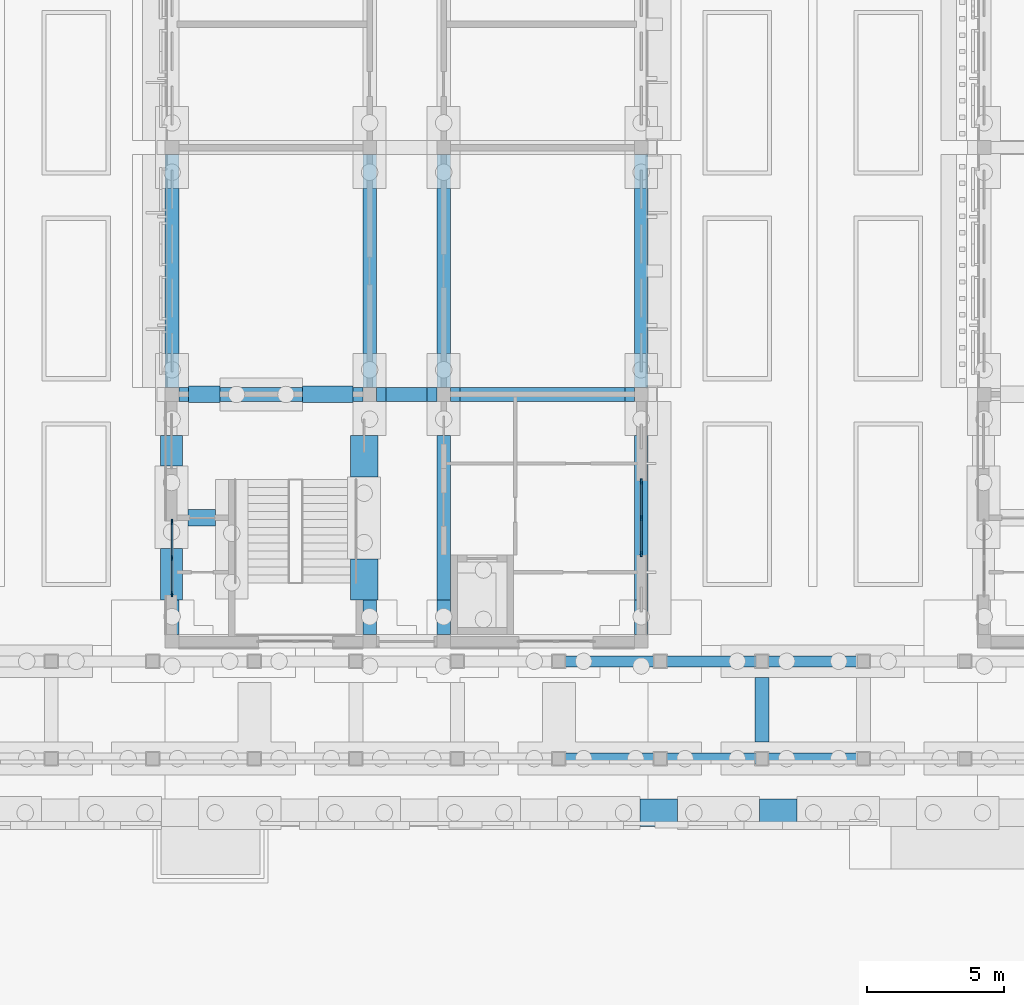
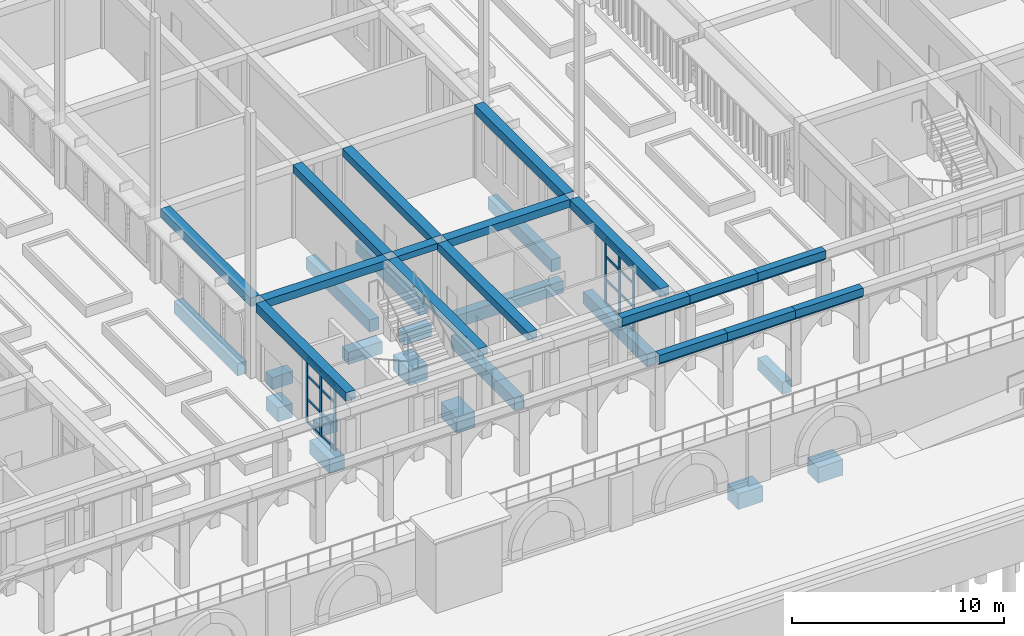
# One storey, part 23 of 161: 35 beams, 22 members, 2 elements without a shape of their own.
"""IFC4 building model written with IfcOpenShell, lengths in metres."""

from ifc_helpers import new_model, si_unit, direction, frame, origin, origin_2d, place, context, subcontext, project, spatial, polyline, rectangle, outline, extrude, material, layer, layer_set, material_profile, profile_set, type_object, element, aggregate, save


model = new_model("IFC4")

# Units and contexts
model_context = context("Model", 3, precision=1e-05, world=origin(), true_north=direction((0.0, 1.0)))
body_context = subcontext(model_context, "Body", "Model", "MODEL_VIEW")
ifc_project = project(units=[si_unit("LENGTHUNIT", "METRE"), si_unit("AREAUNIT", "SQUARE_METRE"), si_unit("VOLUMEUNIT", "CUBIC_METRE"), si_unit("PLANEANGLEUNIT", "RADIAN"), si_unit("MASSUNIT", "GRAM", prefix="KILO")], contexts=[model_context])

# Site, building, storey
site_placement = place(None, origin())
site = spatial("IfcSite", under=ifc_project, at=site_placement, CompositionType="ELEMENT")
building_placement = place(site_placement, origin())
building = spatial("IfcBuilding", under=site, at=building_placement, Name="Elbe Cascade School", CompositionType="ELEMENT")
storey_placement = place(building_placement, origin())
storey = spatial("IfcBuildingStorey", under=building, at=storey_placement, Name="L00", CompositionType="ELEMENT", Elevation=0.0)

# Curtain wall, members
ifc_material_1 = material(Name="Aluminium frame with double glazing, bronze anodised", Category="aluminium")
ifc_layer = layer(ifc_material_1, 0.199951171875)
ifc_layer_set = layer_set([ifc_layer], Name="Aluminium frame with double glazing, bronze anodised")
curtain_wall_type = type_object("IfcCurtainWallType", Name="Bars envelope Curtain wall, aluminium, bronze anodised, ground floor tall run", PredefinedType="NOTDEFINED", material=ifc_layer_set)
curtain_wall_1_placement = place(storey_placement, origin())
curtain_wall_1 = element("IfcCurtainWall", 1, at=curtain_wall_1_placement, inside=storey, type_object=curtain_wall_type, Name="Curtain wall CW3 B.L00.w1", PredefinedType="NOTDEFINED")
ifc_material_2 = material(Name="Aluminium mullion, bronze anodised", Category="aluminium")
ifc_material_profile_1 = material_profile(ifc_material_2, rectangle(XDim=0.06005859375, YDim=0.199951171875, at=origin_2d()), Name="Bars envelope Curtain wall mullion 60 x 200, aluminium, ground floor tall run")
ifc_profile_set_1 = profile_set([ifc_material_profile_1], Name="Aluminium mullion, bronze anodised")
member_type_1 = type_object("IfcMemberType", Name="Bars envelope Curtain wall mullion 60 x 200, aluminium, ground floor tall run", PredefinedType="MULLION", material=ifc_profile_set_1)
member_1_placement = place(storey_placement, frame((98.60009765625, 7.719970703125, 0.0), z_axis=(0.0, 0.0, 1.0), x_axis=(-1.0, 0.0, 0.0)))
member_1 = element("IfcMember", 2, at=member_1_placement, type_object=member_type_1, Name="CW3 mullion 1", PredefinedType="MULLION", context=body_context, shape_type="SweptSolid", body=[
    extrude(rectangle(XDim=0.06005859375, YDim=0.199951171875, at=origin_2d()), origin(), (0.0, 0.0, 1.0), 3.75),
])
member_2_placement = place(storey_placement, frame((98.60009765625, 9.0400390625, 0.0), z_axis=(0.0, 0.0, 1.0), x_axis=(-1.0, 0.0, 0.0)))
member_2 = element("IfcMember", 3, at=member_2_placement, type_object=member_type_1, Name="CW3 mullion 2", PredefinedType="MULLION", context=body_context, shape_type="SweptSolid", body=[
    extrude(rectangle(XDim=0.06005859375, YDim=0.199951171875, at=origin_2d()), origin(), (0.0, 0.0, 1.0), 3.75),
])
member_3_placement = place(storey_placement, frame((98.60009765625, 10.360107421875, 0.0), z_axis=(0.0, 0.0, 1.0), x_axis=(-1.0, 0.0, 0.0)))
member_3 = element("IfcMember", 4, at=member_3_placement, type_object=member_type_1, Name="CW3 mullion 3", PredefinedType="MULLION", context=body_context, shape_type="SweptSolid", body=[
    extrude(rectangle(XDim=0.06005859375, YDim=0.199951171875, at=origin_2d()), origin(), (0.0, 0.0, 1.0), 3.75),
])

curtain_wall_2_placement = place(storey_placement, origin())
curtain_wall_2 = element("IfcCurtainWall", 5, at=curtain_wall_2_placement, inside=storey, type_object=curtain_wall_type, Name="Curtain wall CW3 B.L00.e1", PredefinedType="NOTDEFINED")
member_4_placement = place(storey_placement, frame((115.699951171875, 11.820068359375, 0.0), z_axis=(0.0, 0.0, 1.0), x_axis=(1.0, 0.0, 0.0)))
member_4 = element("IfcMember", 6, at=member_4_placement, type_object=member_type_1, Name="CW3 mullion 1", PredefinedType="MULLION", context=body_context, shape_type="SweptSolid", body=[
    extrude(rectangle(XDim=0.06005859375, YDim=0.199951171875, at=origin_2d()), origin(), (0.0, 0.0, 1.0), 3.75),
])
member_5_placement = place(storey_placement, frame((115.699951171875, 10.5, 0.0), z_axis=(0.0, 0.0, 1.0), x_axis=(1.0, 0.0, 0.0)))
member_5 = element("IfcMember", 7, at=member_5_placement, type_object=member_type_1, Name="CW3 mullion 2", PredefinedType="MULLION", context=body_context, shape_type="SweptSolid", body=[
    extrude(rectangle(XDim=0.06005859375, YDim=0.199951171875, at=origin_2d()), origin(), (0.0, 0.0, 1.0), 3.75),
])
member_6_placement = place(storey_placement, frame((115.699951171875, 9.179931640625, 0.0), z_axis=(0.0, 0.0, 1.0), x_axis=(1.0, 0.0, 0.0)))
member_6 = element("IfcMember", 8, at=member_6_placement, type_object=member_type_1, Name="CW3 mullion 3", PredefinedType="MULLION", context=body_context, shape_type="SweptSolid", body=[
    extrude(rectangle(XDim=0.06005859375, YDim=0.199951171875, at=origin_2d()), origin(), (0.0, 0.0, 1.0), 3.75),
])

# Member
ifc_material_3 = material(Name="Aluminium transom, bronze anodised", Category="aluminium")
ifc_material_profile_2 = material_profile(ifc_material_3, rectangle(XDim=0.06005859375, YDim=0.139892578125, at=origin_2d()), Name="Bars envelope Curtain wall transom 60 x 140, aluminium, ground floor tall run")
ifc_profile_set_2 = profile_set([ifc_material_profile_2], Name="Aluminium transom, bronze anodised")
member_type_2 = type_object("IfcMemberType", Name="Bars envelope Curtain wall transom 60 x 140, aluminium, ground floor tall run", PredefinedType="USERDEFINED", material=ifc_profile_set_2)
member_7_placement = place(storey_placement, frame((98.60009765625, 7.75, 0.030029296875), z_axis=(0.0, 1.0, 0.0), x_axis=(-1.0, 0.0, 0.0)))
member_7 = element("IfcMember", 9, at=member_7_placement, type_object=member_type_2, Name="CW3 transom 1.1", ObjectType="TRANSOM", PredefinedType="USERDEFINED", context=body_context, shape_type="SweptSolid", body=[
    extrude(rectangle(XDim=0.06005859375, YDim=0.139892578125, at=origin_2d()), origin(), (0.0, 0.0, 1.0), 1.260009765625),
])

member_8_placement = place(storey_placement, frame((98.60009765625, 7.75, 1.35009765625), z_axis=(0.0, 1.0, 0.0), x_axis=(-1.0, 0.0, 0.0)))
member_8 = element("IfcMember", 10, at=member_8_placement, type_object=member_type_2, Name="CW3 transom 1.2", ObjectType="TRANSOM", PredefinedType="USERDEFINED", context=body_context, shape_type="SweptSolid", body=[
    extrude(rectangle(XDim=0.06005859375, YDim=0.139892578125, at=origin_2d()), origin(), (0.0, 0.0, 1.0), 1.260009765625),
])

member_9_placement = place(storey_placement, frame((98.60009765625, 7.75, 2.699951171875), z_axis=(0.0, 1.0, 0.0), x_axis=(-1.0, 0.0, 0.0)))
member_9 = element("IfcMember", 11, at=member_9_placement, type_object=member_type_2, Name="CW3 transom 1.3", ObjectType="TRANSOM", PredefinedType="USERDEFINED", context=body_context, shape_type="SweptSolid", body=[
    extrude(rectangle(XDim=0.06005859375, YDim=0.139892578125, at=origin_2d()), origin(), (0.0, 0.0, 1.0), 1.260009765625),
])

member_10_placement = place(storey_placement, frame((98.60009765625, 7.75, 3.719970703125), z_axis=(0.0, 1.0, 0.0), x_axis=(-1.0, 0.0, 0.0)))
member_10 = element("IfcMember", 12, at=member_10_placement, type_object=member_type_2, Name="CW3 transom 1.4", ObjectType="TRANSOM", PredefinedType="USERDEFINED", context=body_context, shape_type="SweptSolid", body=[
    extrude(rectangle(XDim=0.06005859375, YDim=0.139892578125, at=origin_2d()), origin(), (0.0, 0.0, 1.0), 1.260009765625),
])

member_11_placement = place(storey_placement, frame((98.60009765625, 9.070068359375, 0.030029296875), z_axis=(0.0, 1.0, 0.0), x_axis=(-1.0, 0.0, 0.0)))
member_11 = element("IfcMember", 13, at=member_11_placement, type_object=member_type_2, Name="CW3 transom 2.1", ObjectType="TRANSOM", PredefinedType="USERDEFINED", context=body_context, shape_type="SweptSolid", body=[
    extrude(rectangle(XDim=0.06005859375, YDim=0.139892578125, at=origin_2d()), origin(), (0.0, 0.0, 1.0), 1.260009765625),
])

member_12_placement = place(storey_placement, frame((98.60009765625, 9.070068359375, 1.35009765625), z_axis=(0.0, 1.0, 0.0), x_axis=(-1.0, 0.0, 0.0)))
member_12 = element("IfcMember", 14, at=member_12_placement, type_object=member_type_2, Name="CW3 transom 2.2", ObjectType="TRANSOM", PredefinedType="USERDEFINED", context=body_context, shape_type="SweptSolid", body=[
    extrude(rectangle(XDim=0.06005859375, YDim=0.139892578125, at=origin_2d()), origin(), (0.0, 0.0, 1.0), 1.260009765625),
])

member_13_placement = place(storey_placement, frame((98.60009765625, 9.070068359375, 2.699951171875), z_axis=(0.0, 1.0, 0.0), x_axis=(-1.0, 0.0, 0.0)))
member_13 = element("IfcMember", 15, at=member_13_placement, type_object=member_type_2, Name="CW3 transom 2.3", ObjectType="TRANSOM", PredefinedType="USERDEFINED", context=body_context, shape_type="SweptSolid", body=[
    extrude(rectangle(XDim=0.06005859375, YDim=0.139892578125, at=origin_2d()), origin(), (0.0, 0.0, 1.0), 1.260009765625),
])

member_14_placement = place(storey_placement, frame((98.60009765625, 9.070068359375, 3.719970703125), z_axis=(0.0, 1.0, 0.0), x_axis=(-1.0, 0.0, 0.0)))
member_14 = element("IfcMember", 16, at=member_14_placement, type_object=member_type_2, Name="CW3 transom 2.4", ObjectType="TRANSOM", PredefinedType="USERDEFINED", context=body_context, shape_type="SweptSolid", body=[
    extrude(rectangle(XDim=0.06005859375, YDim=0.139892578125, at=origin_2d()), origin(), (0.0, 0.0, 1.0), 1.260009765625),
])

aggregate(curtain_wall_1, [member_1, member_2, member_3, member_7, member_8, member_9, member_10, member_11, member_12, member_13, member_14])

member_15_placement = place(storey_placement, frame((115.699951171875, 11.7900390625, 0.030029296875), z_axis=(0.0, -1.0, 0.0), x_axis=(1.0, 0.0, 0.0)))
member_15 = element("IfcMember", 17, at=member_15_placement, type_object=member_type_2, Name="CW3 transom 1.1", ObjectType="TRANSOM", PredefinedType="USERDEFINED", context=body_context, shape_type="SweptSolid", body=[
    extrude(rectangle(XDim=0.06005859375, YDim=0.139892578125, at=origin_2d()), origin(), (0.0, 0.0, 1.0), 1.260009765625),
])

member_16_placement = place(storey_placement, frame((115.699951171875, 11.7900390625, 1.35009765625), z_axis=(0.0, -1.0, 0.0), x_axis=(1.0, 0.0, 0.0)))
member_16 = element("IfcMember", 18, at=member_16_placement, type_object=member_type_2, Name="CW3 transom 1.2", ObjectType="TRANSOM", PredefinedType="USERDEFINED", context=body_context, shape_type="SweptSolid", body=[
    extrude(rectangle(XDim=0.06005859375, YDim=0.139892578125, at=origin_2d()), origin(), (0.0, 0.0, 1.0), 1.260009765625),
])

member_17_placement = place(storey_placement, frame((115.699951171875, 11.7900390625, 2.699951171875), z_axis=(0.0, -1.0, 0.0), x_axis=(1.0, 0.0, 0.0)))
member_17 = element("IfcMember", 19, at=member_17_placement, type_object=member_type_2, Name="CW3 transom 1.3", ObjectType="TRANSOM", PredefinedType="USERDEFINED", context=body_context, shape_type="SweptSolid", body=[
    extrude(rectangle(XDim=0.06005859375, YDim=0.139892578125, at=origin_2d()), origin(), (0.0, 0.0, 1.0), 1.260009765625),
])

member_18_placement = place(storey_placement, frame((115.699951171875, 11.7900390625, 3.719970703125), z_axis=(0.0, -1.0, 0.0), x_axis=(1.0, 0.0, 0.0)))
member_18 = element("IfcMember", 20, at=member_18_placement, type_object=member_type_2, Name="CW3 transom 1.4", ObjectType="TRANSOM", PredefinedType="USERDEFINED", context=body_context, shape_type="SweptSolid", body=[
    extrude(rectangle(XDim=0.06005859375, YDim=0.139892578125, at=origin_2d()), origin(), (0.0, 0.0, 1.0), 1.260009765625),
])

member_19_placement = place(storey_placement, frame((115.699951171875, 10.469970703125, 0.030029296875), z_axis=(0.0, -1.0, 0.0), x_axis=(1.0, 0.0, 0.0)))
member_19 = element("IfcMember", 21, at=member_19_placement, type_object=member_type_2, Name="CW3 transom 2.1", ObjectType="TRANSOM", PredefinedType="USERDEFINED", context=body_context, shape_type="SweptSolid", body=[
    extrude(rectangle(XDim=0.06005859375, YDim=0.139892578125, at=origin_2d()), origin(), (0.0, 0.0, 1.0), 1.260009765625),
])

member_20_placement = place(storey_placement, frame((115.699951171875, 10.469970703125, 1.35009765625), z_axis=(0.0, -1.0, 0.0), x_axis=(1.0, 0.0, 0.0)))
member_20 = element("IfcMember", 22, at=member_20_placement, type_object=member_type_2, Name="CW3 transom 2.2", ObjectType="TRANSOM", PredefinedType="USERDEFINED", context=body_context, shape_type="SweptSolid", body=[
    extrude(rectangle(XDim=0.06005859375, YDim=0.139892578125, at=origin_2d()), origin(), (0.0, 0.0, 1.0), 1.260009765625),
])

member_21_placement = place(storey_placement, frame((115.699951171875, 10.469970703125, 2.699951171875), z_axis=(0.0, -1.0, 0.0), x_axis=(1.0, 0.0, 0.0)))
member_21 = element("IfcMember", 23, at=member_21_placement, type_object=member_type_2, Name="CW3 transom 2.3", ObjectType="TRANSOM", PredefinedType="USERDEFINED", context=body_context, shape_type="SweptSolid", body=[
    extrude(rectangle(XDim=0.06005859375, YDim=0.139892578125, at=origin_2d()), origin(), (0.0, 0.0, 1.0), 1.260009765625),
])

member_22_placement = place(storey_placement, frame((115.699951171875, 10.469970703125, 3.719970703125), z_axis=(0.0, -1.0, 0.0), x_axis=(1.0, 0.0, 0.0)))
member_22 = element("IfcMember", 24, at=member_22_placement, type_object=member_type_2, Name="CW3 transom 2.4", ObjectType="TRANSOM", PredefinedType="USERDEFINED", context=body_context, shape_type="SweptSolid", body=[
    extrude(rectangle(XDim=0.06005859375, YDim=0.139892578125, at=origin_2d()), origin(), (0.0, 0.0, 1.0), 1.260009765625),
])

aggregate(curtain_wall_2, [member_4, member_5, member_6, member_15, member_16, member_17, member_18, member_19, member_20, member_21, member_22])

# Beams
ifc_material_4 = material(Name="Concrete C35/45", Category="concrete")
ifc_material_profile_3 = material_profile(ifc_material_4, outline(polyline([(-0.199951171875, 0.300048828125), (0.199951171875, 0.300048828125), (0.199951171875, -0.14990234375), (0.10009765625, -0.300048828125), (-0.10009765625, -0.300048828125), (-0.199951171875, -0.14990234375), (-0.199951171875, 0.300048828125)])), Name="RC arch 400x600")
ifc_profile_set_3 = profile_set([ifc_material_profile_3], Name="Concrete C35/45")
beam_type_1 = type_object("IfcBeamType", Name="Colonnade arch beam 400x600", PredefinedType="USERDEFINED", material=ifc_profile_set_3)
beam_1_placement = place(storey_placement, frame((112.699951171875, 1.72509765625, 3.949951171875), z_axis=(1.0, 0.0, 0.0), x_axis=(0.0, 1.0, 0.0)))
element("IfcBeam", 25, at=beam_1_placement, inside=storey, type_object=beam_type_1, Name="Colonnade arch beam F29", ObjectType="ARCH", PredefinedType="USERDEFINED", context=body_context, shape_type="SweptSolid", body=[
    extrude(outline(polyline([(-0.199951171875, 0.300048828125), (0.199951171875, 0.300048828125), (0.199951171875, -0.14990234375), (0.10009765625, -0.300048828125), (-0.10009765625, -0.300048828125), (-0.199951171875, -0.14990234375), (-0.199951171875, 0.300048828125)])), origin(), (0.0, 0.0, 1.0), 3.699951171875),
])
beam_2_placement = place(storey_placement, frame((116.39990234375, 1.72509765625, 3.949951171875), z_axis=(1.0, 0.0, 0.0), x_axis=(0.0, 1.0, 0.0)))
element("IfcBeam", 26, at=beam_2_placement, inside=storey, type_object=beam_type_1, Name="Colonnade arch beam F30", ObjectType="ARCH", PredefinedType="USERDEFINED", context=body_context, shape_type="SweptSolid", body=[
    extrude(outline(polyline([(-0.199951171875, 0.300048828125), (0.199951171875, 0.300048828125), (0.199951171875, -0.14990234375), (0.10009765625, -0.300048828125), (-0.10009765625, -0.300048828125), (-0.199951171875, -0.14990234375), (-0.199951171875, 0.300048828125)])), origin(), (0.0, 0.0, 1.0), 3.7001953125),
])
for number, where, z_axis, x_axis, name in (
    (27, (120.10009765625, 1.72509765625, 3.949951171875), (1.0, 0.0, 0.0), (0.0, 1.0, 0.0), "Colonnade arch beam F31"),
    (28, (112.699951171875, 5.27490234375, 3.949951171875), (1.0, 0.0, 0.0), (0.0, 1.0, 0.0), "Colonnade arch beam R29"),
):
    element("IfcBeam", number, at=place(storey_placement, frame(where, z_axis=z_axis, x_axis=x_axis)), inside=storey, type_object=beam_type_1, Name=name, ObjectType="ARCH", PredefinedType="USERDEFINED", context=body_context, shape_type="SweptSolid", body=[
        extrude(outline(polyline([(-0.199951171875, 0.300048828125), (0.199951171875, 0.300048828125), (0.199951171875, -0.14990234375), (0.10009765625, -0.300048828125), (-0.10009765625, -0.300048828125), (-0.199951171875, -0.14990234375), (-0.199951171875, 0.300048828125)])), origin(), (0.0, 0.0, 1.0), 3.699951171875),
    ])
beam_3_placement = place(storey_placement, frame((116.39990234375, 5.27490234375, 3.949951171875), z_axis=(1.0, 0.0, 0.0), x_axis=(0.0, 1.0, 0.0)))
element("IfcBeam", 29, at=beam_3_placement, inside=storey, type_object=beam_type_1, Name="Colonnade arch beam R30", ObjectType="ARCH", PredefinedType="USERDEFINED", context=body_context, shape_type="SweptSolid", body=[
    extrude(outline(polyline([(-0.199951171875, 0.300048828125), (0.199951171875, 0.300048828125), (0.199951171875, -0.14990234375), (0.10009765625, -0.300048828125), (-0.10009765625, -0.300048828125), (-0.199951171875, -0.14990234375), (-0.199951171875, 0.300048828125)])), origin(), (0.0, 0.0, 1.0), 3.7001953125),
])
beam_4_placement = place(storey_placement, frame((120.10009765625, 5.27490234375, 3.949951171875), z_axis=(1.0, 0.0, 0.0), x_axis=(0.0, 1.0, 0.0)))
element("IfcBeam", 30, at=beam_4_placement, inside=storey, type_object=beam_type_1, Name="Colonnade arch beam R31", ObjectType="ARCH", PredefinedType="USERDEFINED", context=body_context, shape_type="SweptSolid", body=[
    extrude(outline(polyline([(-0.199951171875, 0.300048828125), (0.199951171875, 0.300048828125), (0.199951171875, -0.14990234375), (0.10009765625, -0.300048828125), (-0.10009765625, -0.300048828125), (-0.199951171875, -0.14990234375), (-0.199951171875, 0.300048828125)])), origin(), (0.0, 0.0, 1.0), 3.699951171875),
])
ifc_material_5 = material(Name="Concrete C30/37", Category="concrete")
ifc_material_profile_4 = material_profile(ifc_material_5, rectangle(XDim=1.0, YDim=0.89990234375, at=origin_2d()), Name="RC 1000x900")
ifc_profile_set_4 = profile_set([ifc_material_profile_4], Name="Concrete C30/37")
beam_type_2 = type_object("IfcBeamType", Name="Found ground beam RC 1000x900", PredefinedType="BEAM", material=ifc_profile_set_4)
beam_5_placement = place(storey_placement, frame((115.6552734375, -0.25, -3.85009765625), z_axis=(1.0, 0.0, 0.0), x_axis=(0.0, 1.0, 0.0)))
element("IfcBeam", 31, at=beam_5_placement, inside=storey, type_object=beam_type_2, Name="Ground beam 017", PredefinedType="BEAM", context=body_context, shape_type="SweptSolid", body=[
    extrude(rectangle(XDim=1.0, YDim=0.89990234375, at=origin_2d()), origin(), (0.0, 0.0, 1.0), 1.36181640625),
])
beam_6_placement = place(storey_placement, frame((120.01708984375, -0.25, -3.85009765625), z_axis=(1.0, 0.0, 0.0), x_axis=(0.0, 1.0, 0.0)))
element("IfcBeam", 32, at=beam_6_placement, inside=storey, type_object=beam_type_2, Name="Ground beam 018", PredefinedType="BEAM", context=body_context, shape_type="SweptSolid", body=[
    extrude(rectangle(XDim=1.0, YDim=0.89990234375, at=origin_2d()), origin(), (0.0, 0.0, 1.0), 1.3623046875),
])
for number, where, z_axis, x_axis, name in (
    (33, (105.60009765625, 7.5, -0.75), (0.0, 1.0, 0.0), (-1.0, 0.0, 0.0), "Ground beam 042"),
    (34, (105.60009765625, 12.0, -0.75), (0.0, 1.0, 0.0), (-1.0, 0.0, 0.0), "Ground beam 043"),
):
    element("IfcBeam", number, at=place(storey_placement, frame(where, z_axis=z_axis, x_axis=x_axis)), inside=storey, type_object=beam_type_2, Name=name, PredefinedType="BEAM", context=body_context, shape_type="SweptSolid", body=[
        extrude(rectangle(XDim=1.0, YDim=0.89990234375, at=origin_2d()), origin(), (0.0, 0.0, 1.0), 1.5),
    ])
ifc_material_6 = material(Name="Concrete C30/37", Category="concrete")
ifc_material_profile_5 = material_profile(ifc_material_6, rectangle(XDim=0.5, YDim=0.699951171875, at=origin_2d()), Name="RC 500x700")
ifc_profile_set_5 = profile_set([ifc_material_profile_5], Name="Concrete C30/37")
beam_type_3 = type_object("IfcBeamType", Name="Found ground beam RC 500x700", PredefinedType="BEAM", material=ifc_profile_set_5)
beam_7_placement = place(storey_placement, frame((106.39990234375, 15.0, -0.64990234375), z_axis=(1.0, 0.0, 0.0), x_axis=(0.0, 1.0, 0.0)))
element("IfcBeam", 35, at=beam_7_placement, inside=storey, type_object=beam_type_3, Name="Ground beam 220", PredefinedType="BEAM", context=body_context, shape_type="SweptSolid", body=[
    extrude(rectangle(XDim=0.5, YDim=0.699951171875, at=origin_2d()), origin(), (0.0, 0.0, 1.0), 1.5),
])
for number, where, z_axis, x_axis, name in (
    (36, (109.10009765625, 15.0, -0.64990234375), (1.0, 0.0, 0.0), (0.0, 1.0, 0.0), "Ground beam 221"),
    (37, (98.60009765625, 16.5, -0.64990234375), (0.0, 1.0, 0.0), (-1.0, 0.0, 0.0), "Ground beam 233"),
    (38, (105.800048828125, 16.5, -0.64990234375), (0.0, 1.0, 0.0), (-1.0, 0.0, 0.0), "Ground beam 237"),
    (39, (108.5, 7.5, -0.64990234375), (0.0, 1.0, 0.0), (-1.0, 0.0, 0.0), "Ground beam 241"),
    (40, (108.5, 16.5, -0.64990234375), (0.0, 1.0, 0.0), (-1.0, 0.0, 0.0), "Ground beam 242"),
    (41, (115.699951171875, 7.5, -0.64990234375), (0.0, 1.0, 0.0), (-1.0, 0.0, 0.0), "Ground beam 247"),
    (42, (115.699951171875, 16.5, -0.64990234375), (0.0, 1.0, 0.0), (-1.0, 0.0, 0.0), "Ground beam 248"),
):
    element("IfcBeam", number, at=place(storey_placement, frame(where, z_axis=z_axis, x_axis=x_axis)), inside=storey, type_object=beam_type_3, Name=name, PredefinedType="BEAM", context=body_context, shape_type="SweptSolid", body=[
        extrude(rectangle(XDim=0.5, YDim=0.699951171875, at=origin_2d()), origin(), (0.0, 0.0, 1.0), 6.0),
    ])
beam_8_placement = place(storey_placement, frame((120.10009765625, 2.324951171875, -0.64990234375), z_axis=(0.0, 1.0, 0.0), x_axis=(-1.0, 0.0, 0.0)))
element("IfcBeam", 43, at=beam_8_placement, inside=storey, type_object=beam_type_3, Name="Ground beam 400", PredefinedType="BEAM", context=body_context, shape_type="SweptSolid", body=[
    extrude(rectangle(XDim=0.5, YDim=0.699951171875, at=origin_2d()), origin(), (0.0, 0.0, 1.0), 2.35009765625),
])
ifc_material_7 = material(Name="Concrete C30/37", Category="concrete")
ifc_material_profile_6 = material_profile(ifc_material_7, rectangle(XDim=0.60009765625, YDim=0.699951171875, at=origin_2d()), Name="RC 600x700")
ifc_profile_set_6 = profile_set([ifc_material_profile_6], Name="Concrete C30/37")
beam_type_4 = type_object("IfcBeamType", Name="Found ground beam RC 600x700", PredefinedType="BEAM", material=ifc_profile_set_6)
beam_9_placement = place(storey_placement, frame((99.199951171875, 15.0, -0.64990234375), z_axis=(1.0, 0.0, 0.0), x_axis=(0.0, 1.0, 0.0)))
element("IfcBeam", 44, at=beam_9_placement, inside=storey, type_object=beam_type_4, Name="Ground beam 152", PredefinedType="BEAM", context=body_context, shape_type="SweptSolid", body=[
    extrude(rectangle(XDim=0.60009765625, YDim=0.699951171875, at=origin_2d()), origin(), (0.0, 0.0, 1.0), 1.150146484375),
])
beam_10_placement = place(storey_placement, frame((103.35009765625, 15.0, -0.64990234375), z_axis=(1.0, 0.0, 0.0), x_axis=(0.0, 1.0, 0.0)))
element("IfcBeam", 45, at=beam_10_placement, inside=storey, type_object=beam_type_4, Name="Ground beam 153", PredefinedType="BEAM", context=body_context, shape_type="SweptSolid", body=[
    extrude(rectangle(XDim=0.60009765625, YDim=0.699951171875, at=origin_2d()), origin(), (0.0, 0.0, 1.0), 1.849853515625),
])
beam_11_placement = place(storey_placement, frame((99.179931640625, 10.5, -0.64990234375), z_axis=(1.0, 0.0, 0.0), x_axis=(0.0, 1.0, 0.0)))
element("IfcBeam", 46, at=beam_11_placement, inside=storey, type_object=beam_type_4, Name="Ground beam 174", PredefinedType="BEAM", context=body_context, shape_type="SweptSolid", body=[
    extrude(rectangle(XDim=0.60009765625, YDim=0.699951171875, at=origin_2d()), origin(), (0.0, 0.0, 1.0), 0.9951171875),
])
ifc_material_8 = material(Name="Concrete C30/37", Category="concrete")
ifc_material_profile_7 = material_profile(ifc_material_8, rectangle(XDim=0.800048828125, YDim=0.800048828125, at=origin_2d()), Name="RC 800x800")
ifc_profile_set_7 = profile_set([ifc_material_profile_7], Name="Concrete C30/37")
beam_type_5 = type_object("IfcBeamType", Name="Found ground beam RC 800x800", PredefinedType="BEAM", material=ifc_profile_set_7)
beam_12_placement = place(storey_placement, frame((98.580078125, 7.5, -0.699951171875), z_axis=(0.0, 1.0, 0.0), x_axis=(-1.0, 0.0, 0.0)))
element("IfcBeam", 47, at=beam_12_placement, inside=storey, type_object=beam_type_5, Name="Ground beam 084", PredefinedType="BEAM", context=body_context, shape_type="SweptSolid", body=[
    extrude(rectangle(XDim=0.800048828125, YDim=0.800048828125, at=origin_2d()), origin(), (0.0, 0.0, 1.0), 1.889892578125),
])
beam_13_placement = place(storey_placement, frame((98.580078125, 12.389892578125, -0.699951171875), z_axis=(0.0, 1.0, 0.0), x_axis=(-1.0, 0.0, 0.0)))
element("IfcBeam", 48, at=beam_13_placement, inside=storey, type_object=beam_type_5, Name="Ground beam 085", PredefinedType="BEAM", context=body_context, shape_type="SweptSolid", body=[
    extrude(rectangle(XDim=0.800048828125, YDim=0.800048828125, at=origin_2d()), origin(), (0.0, 0.0, 1.0), 1.110107421875),
])
ifc_material_9 = material(Name="Concrete C30/37", Category="concrete")
ifc_material_profile_8 = material_profile(ifc_material_9, rectangle(XDim=0.5, YDim=0.35009765625, at=origin_2d()), Name="RC 500x350")
ifc_profile_set_8 = profile_set([ifc_material_profile_8], Name="Concrete C30/37")
beam_type_6 = type_object("IfcBeamType", Name="RC 500x350 beam", PredefinedType="BEAM", material=ifc_profile_set_8)
beam_14_placement = place(storey_placement, frame((106.050048828125, 15.0, 4.074951171875), z_axis=(1.0, 0.0, 0.0), x_axis=(0.0, 1.0, 0.0)))
element("IfcBeam", 49, at=beam_14_placement, inside=storey, type_object=beam_type_6, Name="RC 500x350 beam B8", PredefinedType="BEAM", context=body_context, shape_type="SweptSolid", body=[
    extrude(rectangle(XDim=0.5, YDim=0.35009765625, at=origin_2d()), origin(), (0.0, 0.0, 1.0), 2.199951171875),
])
ifc_material_10 = material(Name="Concrete C30/37", Category="concrete")
ifc_material_profile_9 = material_profile(ifc_material_10, rectangle(XDim=0.5, YDim=0.449951171875, at=origin_2d()), Name="RC 500x450")
ifc_profile_set_9 = profile_set([ifc_material_profile_9], Name="Concrete C30/37")
beam_type_7 = type_object("IfcBeamType", Name="RC 500x450 beam", PredefinedType="BEAM", material=ifc_profile_set_9)
for number, where, z_axis, x_axis, name in (
    (50, (105.800048828125, 6.25, 4.02490234375), (0.0, 1.0, 0.0), (-1.0, 0.0, 0.0), "RC 500x450 beam B7"),
    (51, (105.800048828125, 15.25, 4.02490234375), (0.0, 1.0, 0.0), (-1.0, 0.0, 0.0), "RC 500x450 beam B7"),
    (52, (108.5, 6.25, 4.02490234375), (0.0, 1.0, 0.0), (-1.0, 0.0, 0.0), "RC 500x450 beam B7"),
    (53, (108.5, 15.25, 4.02490234375), (0.0, 1.0, 0.0), (-1.0, 0.0, 0.0), "RC 500x450 beam B7"),
):
    element("IfcBeam", number, at=place(storey_placement, frame(where, z_axis=z_axis, x_axis=x_axis)), inside=storey, type_object=beam_type_7, Name=name, PredefinedType="BEAM", context=body_context, shape_type="SweptSolid", body=[
        extrude(rectangle(XDim=0.5, YDim=0.449951171875, at=origin_2d()), origin(), (0.0, 0.0, 1.0), 8.5),
    ])
for number, where, z_axis, x_axis, name in (
    (54, (98.85009765625, 15.0, 4.02490234375), (1.0, 0.0, 0.0), (0.0, 1.0, 0.0), "RC 500x450 beam B7"),
    (55, (108.75, 15.0, 4.02490234375), (1.0, 0.0, 0.0), (0.0, 1.0, 0.0), "RC 500x450 beam B7"),
):
    element("IfcBeam", number, at=place(storey_placement, frame(where, z_axis=z_axis, x_axis=x_axis)), inside=storey, type_object=beam_type_7, Name=name, PredefinedType="BEAM", context=body_context, shape_type="SweptSolid", body=[
        extrude(rectangle(XDim=0.5, YDim=0.449951171875, at=origin_2d()), origin(), (0.0, 0.0, 1.0), 6.699951171875),
    ])
ifc_material_11 = material(Name="Concrete C30/37", Category="concrete")
ifc_material_profile_10 = material_profile(ifc_material_11, rectangle(XDim=0.5, YDim=0.5, at=origin_2d()), Name="RC 500x500")
ifc_profile_set_10 = profile_set([ifc_material_profile_10], Name="Concrete C30/37")
beam_type_8 = type_object("IfcBeamType", Name="RC 500x500 beam", PredefinedType="BEAM", material=ifc_profile_set_10)
for number, where, z_axis, x_axis, name in (
    (56, (98.60009765625, 6.25, 4.0), (0.0, 1.0, 0.0), (-1.0, 0.0, 0.0), "RC 500x500 beam B6"),
    (57, (98.60009765625, 15.25, 4.0), (0.0, 1.0, 0.0), (-1.0, 0.0, 0.0), "RC 500x500 beam B6"),
    (58, (115.699951171875, 6.25, 4.0), (0.0, 1.0, 0.0), (-1.0, 0.0, 0.0), "RC 500x500 beam B6"),
    (59, (115.699951171875, 15.25, 4.0), (0.0, 1.0, 0.0), (-1.0, 0.0, 0.0), "RC 500x500 beam B6"),
):
    element("IfcBeam", number, at=place(storey_placement, frame(where, z_axis=z_axis, x_axis=x_axis)), inside=storey, type_object=beam_type_8, Name=name, PredefinedType="BEAM", context=body_context, shape_type="SweptSolid", body=[
        extrude(rectangle(XDim=0.5, YDim=0.5, at=origin_2d()), origin(), (0.0, 0.0, 1.0), 8.5),
    ])

save(model, "model.ifc")
